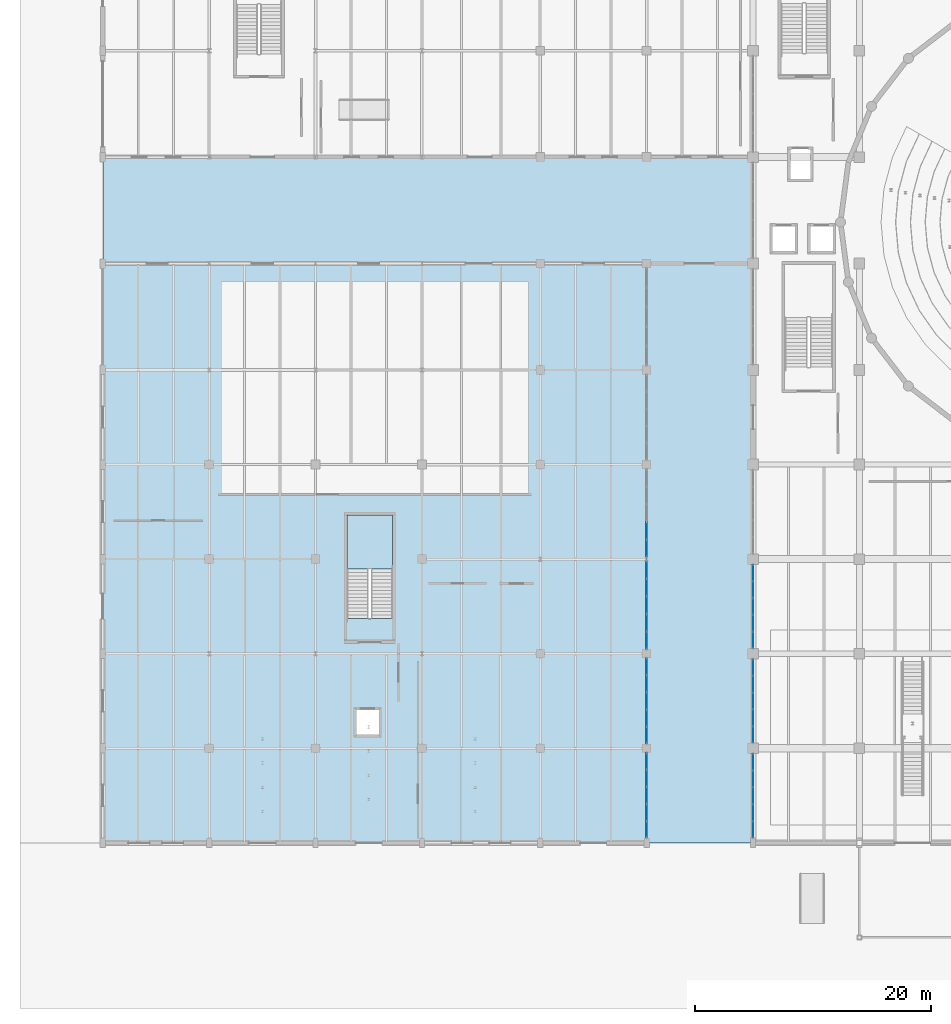
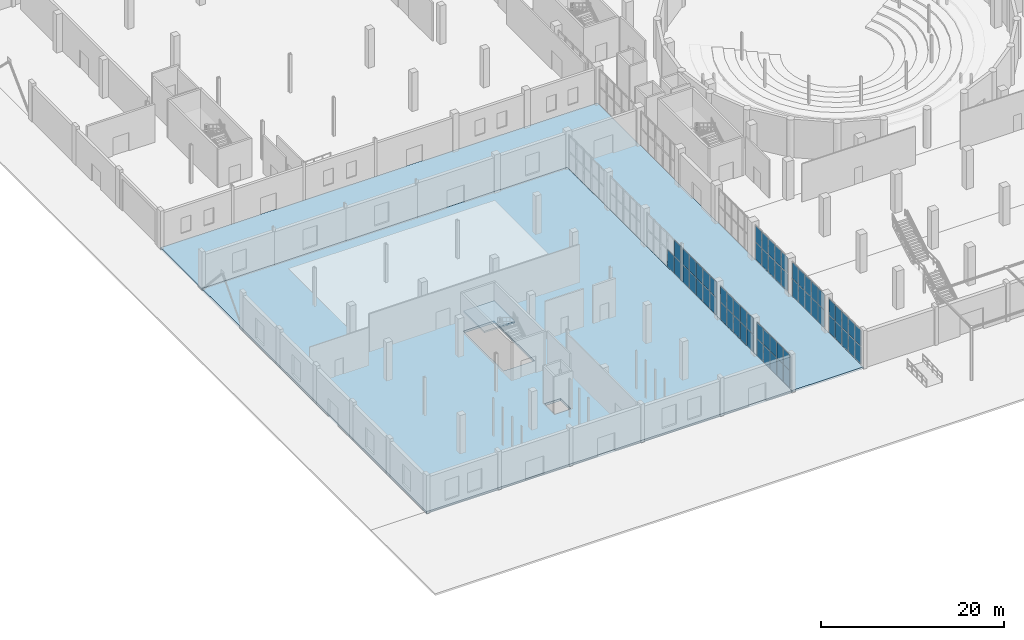
# One storey, part 64 of 103: 63 plates, 3 slabs, 8 elements without a shape of their own.
"""IFC4 building model written with IfcOpenShell, lengths in metres."""

from ifc_helpers import new_model, si_unit, direction, frame, origin, origin_2d, place, context, subcontext, project, spatial, polyline, rectangle, outline, extrude, material, layer, layer_set, type_object, element, aggregate, save


model = new_model("IFC4")

# Units and contexts
model_context = context("Model", 3, precision=1e-05, world=origin(), true_north=direction((0.0, 1.0)))
body_context = subcontext(model_context, "Body", "Model", "MODEL_VIEW")
ifc_project = project(units=[si_unit("LENGTHUNIT", "METRE"), si_unit("AREAUNIT", "SQUARE_METRE"), si_unit("VOLUMEUNIT", "CUBIC_METRE"), si_unit("PLANEANGLEUNIT", "RADIAN"), si_unit("MASSUNIT", "GRAM", prefix="KILO")], contexts=[model_context])

# Site, building, storey
site_placement = place(None, origin())
site = spatial("IfcSite", under=ifc_project, at=site_placement, CompositionType="ELEMENT")
building_placement = place(site_placement, origin())
building = spatial("IfcBuilding", under=site, at=building_placement, Name="Marnock Terrace Opera House", CompositionType="ELEMENT")
storey_placement = place(building_placement, origin())
storey = spatial("IfcBuildingStorey", under=building, at=storey_placement, Name="L00", CompositionType="ELEMENT", Elevation=0.0)

# Curtain wall, plates
ifc_material_1 = material(Name="Anodised architectural bronze aluminium framing", Category="aluminium")
ifc_layer_1 = layer(ifc_material_1, 0.159912109375)
ifc_layer_set_1 = layer_set([ifc_layer_1], Name="Anodised architectural bronze aluminium framing")
curtain_wall_type_1 = type_object("IfcCurtainWallType", Name="CW-FOYER-80x51", PredefinedType="NOTDEFINED", material=ifc_layer_set_1)
curtain_wall_1_placement = place(storey_placement, origin())
curtain_wall_1 = element("IfcCurtainWall", 1, at=curtain_wall_1_placement, inside=storey, type_object=curtain_wall_type_1, Name="L00 glazed Beaux-Arts colonnade curtain wall CW-V1W-L00-01", PredefinedType="NOTDEFINED")
ifc_material_2 = material(Name="Double-glazed acoustic low-E laminated glass", Category="glass")
ifc_layer_2 = layer(ifc_material_2, 0.028076171875)
ifc_layer_set_2 = layer_set([ifc_layer_2], Name="Double-glazed acoustic low-E laminated glass")
plate_type = type_object("IfcPlateType", Name="CWP-GLZ-28", PredefinedType="CURTAIN_PANEL", material=ifc_layer_set_2)
plate_1_placement = place(storey_placement, frame((55.0, 9.126708984375, 0.06005859375), z_axis=(0.0, 0.0, 1.0), x_axis=(0.0, 1.0, 0.0)))
plate_1 = element("IfcPlate", 2, at=plate_1_placement, type_object=plate_type, Name="CW-73 panel 1.1", PredefinedType="CURTAIN_PANEL", context=body_context, shape_type="SweptSolid", body=[
    extrude(rectangle(XDim=1.341552734375, YDim=0.028076171875, at=origin_2d()), origin(), (0.0, 0.0, 1.0), 2.319091796875),
])
plate_2_placement = place(storey_placement, frame((55.0, 9.126708984375, 2.43896484375), z_axis=(0.0, 0.0, 1.0), x_axis=(0.0, 1.0, 0.0)))
plate_2 = element("IfcPlate", 3, at=plate_2_placement, type_object=plate_type, Name="CW-73 panel 1.2", PredefinedType="CURTAIN_PANEL", context=body_context, shape_type="SweptSolid", body=[
    extrude(rectangle(XDim=1.341552734375, YDim=0.028076171875, at=origin_2d()), origin(), (0.0, 0.0, 1.0), 2.133544921875),
])
plate_3_placement = place(storey_placement, frame((55.0, 10.54345703125, 0.06005859375), z_axis=(0.0, 0.0, 1.0), x_axis=(0.0, 1.0, 0.0)))
plate_3 = element("IfcPlate", 4, at=plate_3_placement, type_object=plate_type, Name="CW-73 panel 2.1", PredefinedType="CURTAIN_PANEL", context=body_context, shape_type="SweptSolid", body=[
    extrude(rectangle(XDim=1.37158203125, YDim=0.028076171875, at=origin_2d()), origin(), (0.0, 0.0, 1.0), 2.319091796875),
])
plate_4_placement = place(storey_placement, frame((55.0, 10.54345703125, 2.43896484375), z_axis=(0.0, 0.0, 1.0), x_axis=(0.0, 1.0, 0.0)))
plate_4 = element("IfcPlate", 5, at=plate_4_placement, type_object=plate_type, Name="CW-73 panel 2.2", PredefinedType="CURTAIN_PANEL", context=body_context, shape_type="SweptSolid", body=[
    extrude(rectangle(XDim=1.37158203125, YDim=0.028076171875, at=origin_2d()), origin(), (0.0, 0.0, 1.0), 2.133544921875),
])
plate_5_placement = place(storey_placement, frame((55.0, 11.97509765625, 0.06005859375), z_axis=(0.0, 0.0, 1.0), x_axis=(0.0, 1.0, 0.0)))
plate_5 = element("IfcPlate", 6, at=plate_5_placement, type_object=plate_type, Name="CW-73 panel 3.1", PredefinedType="CURTAIN_PANEL", context=body_context, shape_type="SweptSolid", body=[
    extrude(rectangle(XDim=1.37158203125, YDim=0.028076171875, at=origin_2d()), origin(), (0.0, 0.0, 1.0), 2.319091796875),
])
plate_6_placement = place(storey_placement, frame((55.0, 11.97509765625, 2.43896484375), z_axis=(0.0, 0.0, 1.0), x_axis=(0.0, 1.0, 0.0)))
plate_6 = element("IfcPlate", 7, at=plate_6_placement, type_object=plate_type, Name="CW-73 panel 3.2", PredefinedType="CURTAIN_PANEL", context=body_context, shape_type="SweptSolid", body=[
    extrude(rectangle(XDim=1.37158203125, YDim=0.028076171875, at=origin_2d()), origin(), (0.0, 0.0, 1.0), 2.133544921875),
])
plate_7_placement = place(storey_placement, frame((55.0, 13.406494140625, 0.06005859375), z_axis=(0.0, 0.0, 1.0), x_axis=(0.0, 1.0, 0.0)))
plate_7 = element("IfcPlate", 8, at=plate_7_placement, type_object=plate_type, Name="CW-73 panel 4.1", PredefinedType="CURTAIN_PANEL", context=body_context, shape_type="SweptSolid", body=[
    extrude(rectangle(XDim=1.37158203125, YDim=0.028076171875, at=origin_2d()), origin(), (0.0, 0.0, 1.0), 2.319091796875),
])
plate_8_placement = place(storey_placement, frame((55.0, 13.406494140625, 2.43896484375), z_axis=(0.0, 0.0, 1.0), x_axis=(0.0, 1.0, 0.0)))
plate_8 = element("IfcPlate", 9, at=plate_8_placement, type_object=plate_type, Name="CW-73 panel 4.2", PredefinedType="CURTAIN_PANEL", context=body_context, shape_type="SweptSolid", body=[
    extrude(rectangle(XDim=1.37158203125, YDim=0.028076171875, at=origin_2d()), origin(), (0.0, 0.0, 1.0), 2.133544921875),
])
plate_9_placement = place(storey_placement, frame((55.0, 14.8232421875, 0.06005859375), z_axis=(0.0, 0.0, 1.0), x_axis=(0.0, 1.0, 0.0)))
plate_9 = element("IfcPlate", 10, at=plate_9_placement, type_object=plate_type, Name="CW-73 panel 5.1", PredefinedType="CURTAIN_PANEL", context=body_context, shape_type="SweptSolid", body=[
    extrude(rectangle(XDim=1.341552734375, YDim=0.028076171875, at=origin_2d()), origin(), (0.0, 0.0, 1.0), 2.319091796875),
])
plate_10_placement = place(storey_placement, frame((55.0, 14.8232421875, 2.43896484375), z_axis=(0.0, 0.0, 1.0), x_axis=(0.0, 1.0, 0.0)))
plate_10 = element("IfcPlate", 11, at=plate_10_placement, type_object=plate_type, Name="CW-73 panel 5.2", PredefinedType="CURTAIN_PANEL", context=body_context, shape_type="SweptSolid", body=[
    extrude(rectangle(XDim=1.341552734375, YDim=0.028076171875, at=origin_2d()), origin(), (0.0, 0.0, 1.0), 2.133544921875),
])
aggregate(curtain_wall_1, [plate_1, plate_2, plate_3, plate_4, plate_5, plate_6, plate_7, plate_8, plate_9, plate_10])

curtain_wall_2_placement = place(storey_placement, origin())
curtain_wall_2 = element("IfcCurtainWall", 12, at=curtain_wall_2_placement, inside=storey, type_object=curtain_wall_type_1, Name="L00 glazed Beaux-Arts colonnade curtain wall CW-V1W-L00-02", PredefinedType="NOTDEFINED")
plate_11_placement = place(storey_placement, frame((55.0, 17.171875, 0.06005859375), z_axis=(0.0, 0.0, 1.0), x_axis=(0.0, 1.0, 0.0)))
plate_11 = element("IfcPlate", 13, at=plate_11_placement, type_object=plate_type, Name="CW-73 panel 1.1", PredefinedType="CURTAIN_PANEL", context=body_context, shape_type="SweptSolid", body=[
    extrude(rectangle(XDim=1.33154296875, YDim=0.028076171875, at=origin_2d()), origin(), (0.0, 0.0, 1.0), 2.319091796875),
])
plate_12_placement = place(storey_placement, frame((55.0, 17.171875, 2.43896484375), z_axis=(0.0, 0.0, 1.0), x_axis=(0.0, 1.0, 0.0)))
plate_12 = element("IfcPlate", 14, at=plate_12_placement, type_object=plate_type, Name="CW-73 panel 1.2", PredefinedType="CURTAIN_PANEL", context=body_context, shape_type="SweptSolid", body=[
    extrude(rectangle(XDim=1.33154296875, YDim=0.028076171875, at=origin_2d()), origin(), (0.0, 0.0, 1.0), 2.133544921875),
])
plate_13_placement = place(storey_placement, frame((55.0, 18.578369140625, 0.06005859375), z_axis=(0.0, 0.0, 1.0), x_axis=(0.0, 1.0, 0.0)))
plate_13 = element("IfcPlate", 15, at=plate_13_placement, type_object=plate_type, Name="CW-73 panel 2.1", PredefinedType="CURTAIN_PANEL", context=body_context, shape_type="SweptSolid", body=[
    extrude(rectangle(XDim=1.361572265625, YDim=0.028076171875, at=origin_2d()), origin(), (0.0, 0.0, 1.0), 2.319091796875),
])
plate_14_placement = place(storey_placement, frame((55.0, 18.578369140625, 2.43896484375), z_axis=(0.0, 0.0, 1.0), x_axis=(0.0, 1.0, 0.0)))
plate_14 = element("IfcPlate", 16, at=plate_14_placement, type_object=plate_type, Name="CW-73 panel 2.2", PredefinedType="CURTAIN_PANEL", context=body_context, shape_type="SweptSolid", body=[
    extrude(rectangle(XDim=1.361572265625, YDim=0.028076171875, at=origin_2d()), origin(), (0.0, 0.0, 1.0), 2.133544921875),
])
plate_15_placement = place(storey_placement, frame((55.0, 20.0, 0.06005859375), z_axis=(0.0, 0.0, 1.0), x_axis=(0.0, 1.0, 0.0)))
plate_15 = element("IfcPlate", 17, at=plate_15_placement, type_object=plate_type, Name="CW-73 panel 3.1", PredefinedType="CURTAIN_PANEL", context=body_context, shape_type="SweptSolid", body=[
    extrude(rectangle(XDim=1.361572265625, YDim=0.028076171875, at=origin_2d()), origin(), (0.0, 0.0, 1.0), 2.319091796875),
])
plate_16_placement = place(storey_placement, frame((55.0, 20.0, 2.43896484375), z_axis=(0.0, 0.0, 1.0), x_axis=(0.0, 1.0, 0.0)))
plate_16 = element("IfcPlate", 18, at=plate_16_placement, type_object=plate_type, Name="CW-73 panel 3.2", PredefinedType="CURTAIN_PANEL", context=body_context, shape_type="SweptSolid", body=[
    extrude(rectangle(XDim=1.361572265625, YDim=0.028076171875, at=origin_2d()), origin(), (0.0, 0.0, 1.0), 2.133544921875),
])
plate_17_placement = place(storey_placement, frame((55.0, 21.421630859375, 0.06005859375), z_axis=(0.0, 0.0, 1.0), x_axis=(0.0, 1.0, 0.0)))
plate_17 = element("IfcPlate", 19, at=plate_17_placement, type_object=plate_type, Name="CW-73 panel 4.1", PredefinedType="CURTAIN_PANEL", context=body_context, shape_type="SweptSolid", body=[
    extrude(rectangle(XDim=1.361572265625, YDim=0.028076171875, at=origin_2d()), origin(), (0.0, 0.0, 1.0), 2.319091796875),
])
plate_18_placement = place(storey_placement, frame((55.0, 21.421630859375, 2.43896484375), z_axis=(0.0, 0.0, 1.0), x_axis=(0.0, 1.0, 0.0)))
plate_18 = element("IfcPlate", 20, at=plate_18_placement, type_object=plate_type, Name="CW-73 panel 4.2", PredefinedType="CURTAIN_PANEL", context=body_context, shape_type="SweptSolid", body=[
    extrude(rectangle(XDim=1.361572265625, YDim=0.028076171875, at=origin_2d()), origin(), (0.0, 0.0, 1.0), 2.133544921875),
])
plate_19_placement = place(storey_placement, frame((55.0, 22.828125, 0.06005859375), z_axis=(0.0, 0.0, 1.0), x_axis=(0.0, 1.0, 0.0)))
plate_19 = element("IfcPlate", 21, at=plate_19_placement, type_object=plate_type, Name="CW-73 panel 5.1", PredefinedType="CURTAIN_PANEL", context=body_context, shape_type="SweptSolid", body=[
    extrude(rectangle(XDim=1.33154296875, YDim=0.028076171875, at=origin_2d()), origin(), (0.0, 0.0, 1.0), 2.319091796875),
])
plate_20_placement = place(storey_placement, frame((55.0, 22.828125, 2.43896484375), z_axis=(0.0, 0.0, 1.0), x_axis=(0.0, 1.0, 0.0)))
plate_20 = element("IfcPlate", 22, at=plate_20_placement, type_object=plate_type, Name="CW-73 panel 5.2", PredefinedType="CURTAIN_PANEL", context=body_context, shape_type="SweptSolid", body=[
    extrude(rectangle(XDim=1.33154296875, YDim=0.028076171875, at=origin_2d()), origin(), (0.0, 0.0, 1.0), 2.133544921875),
])
aggregate(curtain_wall_2, [plate_11, plate_12, plate_13, plate_14, plate_15, plate_16, plate_17, plate_18, plate_19, plate_20])

curtain_wall_3_placement = place(storey_placement, origin())
curtain_wall_3 = element("IfcCurtainWall", 23, at=curtain_wall_3_placement, inside=storey, type_object=curtain_wall_type_1, Name="L00 glazed Beaux-Arts colonnade curtain wall CW-V1W-L00-03", PredefinedType="NOTDEFINED")
plate_21_placement = place(storey_placement, frame((55.0, 25.171875, 0.06005859375), z_axis=(0.0, 0.0, 1.0), x_axis=(0.0, 1.0, 0.0)))
plate_21 = element("IfcPlate", 24, at=plate_21_placement, type_object=plate_type, Name="CW-73 panel 1.1", PredefinedType="CURTAIN_PANEL", context=body_context, shape_type="SweptSolid", body=[
    extrude(rectangle(XDim=1.33154296875, YDim=0.028076171875, at=origin_2d()), origin(), (0.0, 0.0, 1.0), 2.319091796875),
])
plate_22_placement = place(storey_placement, frame((55.0, 25.171875, 2.43896484375), z_axis=(0.0, 0.0, 1.0), x_axis=(0.0, 1.0, 0.0)))
plate_22 = element("IfcPlate", 25, at=plate_22_placement, type_object=plate_type, Name="CW-73 panel 1.2", PredefinedType="CURTAIN_PANEL", context=body_context, shape_type="SweptSolid", body=[
    extrude(rectangle(XDim=1.33154296875, YDim=0.028076171875, at=origin_2d()), origin(), (0.0, 0.0, 1.0), 2.133544921875),
])
plate_23_placement = place(storey_placement, frame((55.0, 26.578369140625, 0.06005859375), z_axis=(0.0, 0.0, 1.0), x_axis=(0.0, 1.0, 0.0)))
plate_23 = element("IfcPlate", 26, at=plate_23_placement, type_object=plate_type, Name="CW-73 panel 2.1", PredefinedType="CURTAIN_PANEL", context=body_context, shape_type="SweptSolid", body=[
    extrude(rectangle(XDim=1.361572265625, YDim=0.028076171875, at=origin_2d()), origin(), (0.0, 0.0, 1.0), 2.319091796875),
])
plate_24_placement = place(storey_placement, frame((55.0, 26.578369140625, 2.43896484375), z_axis=(0.0, 0.0, 1.0), x_axis=(0.0, 1.0, 0.0)))
plate_24 = element("IfcPlate", 27, at=plate_24_placement, type_object=plate_type, Name="CW-73 panel 2.2", PredefinedType="CURTAIN_PANEL", context=body_context, shape_type="SweptSolid", body=[
    extrude(rectangle(XDim=1.361572265625, YDim=0.028076171875, at=origin_2d()), origin(), (0.0, 0.0, 1.0), 2.133544921875),
])
plate_25_placement = place(storey_placement, frame((55.0, 28.0, 0.06005859375), z_axis=(0.0, 0.0, 1.0), x_axis=(0.0, 1.0, 0.0)))
plate_25 = element("IfcPlate", 28, at=plate_25_placement, type_object=plate_type, Name="CW-73 panel 3.1", PredefinedType="CURTAIN_PANEL", context=body_context, shape_type="SweptSolid", body=[
    extrude(rectangle(XDim=1.361572265625, YDim=0.028076171875, at=origin_2d()), origin(), (0.0, 0.0, 1.0), 2.319091796875),
])
plate_26_placement = place(storey_placement, frame((55.0, 28.0, 2.43896484375), z_axis=(0.0, 0.0, 1.0), x_axis=(0.0, 1.0, 0.0)))
plate_26 = element("IfcPlate", 29, at=plate_26_placement, type_object=plate_type, Name="CW-73 panel 3.2", PredefinedType="CURTAIN_PANEL", context=body_context, shape_type="SweptSolid", body=[
    extrude(rectangle(XDim=1.361572265625, YDim=0.028076171875, at=origin_2d()), origin(), (0.0, 0.0, 1.0), 2.133544921875),
])
plate_27_placement = place(storey_placement, frame((55.0, 29.421630859375, 0.06005859375), z_axis=(0.0, 0.0, 1.0), x_axis=(0.0, 1.0, 0.0)))
plate_27 = element("IfcPlate", 30, at=plate_27_placement, type_object=plate_type, Name="CW-73 panel 4.1", PredefinedType="CURTAIN_PANEL", context=body_context, shape_type="SweptSolid", body=[
    extrude(rectangle(XDim=1.361572265625, YDim=0.028076171875, at=origin_2d()), origin(), (0.0, 0.0, 1.0), 2.319091796875),
])
plate_28_placement = place(storey_placement, frame((55.0, 29.421630859375, 2.43896484375), z_axis=(0.0, 0.0, 1.0), x_axis=(0.0, 1.0, 0.0)))
plate_28 = element("IfcPlate", 31, at=plate_28_placement, type_object=plate_type, Name="CW-73 panel 4.2", PredefinedType="CURTAIN_PANEL", context=body_context, shape_type="SweptSolid", body=[
    extrude(rectangle(XDim=1.361572265625, YDim=0.028076171875, at=origin_2d()), origin(), (0.0, 0.0, 1.0), 2.133544921875),
])
plate_29_placement = place(storey_placement, frame((55.0, 30.828125, 0.06005859375), z_axis=(0.0, 0.0, 1.0), x_axis=(0.0, 1.0, 0.0)))
plate_29 = element("IfcPlate", 32, at=plate_29_placement, type_object=plate_type, Name="CW-73 panel 5.1", PredefinedType="CURTAIN_PANEL", context=body_context, shape_type="SweptSolid", body=[
    extrude(rectangle(XDim=1.33154296875, YDim=0.028076171875, at=origin_2d()), origin(), (0.0, 0.0, 1.0), 2.319091796875),
])
plate_30_placement = place(storey_placement, frame((55.0, 30.828125, 2.43896484375), z_axis=(0.0, 0.0, 1.0), x_axis=(0.0, 1.0, 0.0)))
plate_30 = element("IfcPlate", 33, at=plate_30_placement, type_object=plate_type, Name="CW-73 panel 5.2", PredefinedType="CURTAIN_PANEL", context=body_context, shape_type="SweptSolid", body=[
    extrude(rectangle(XDim=1.33154296875, YDim=0.028076171875, at=origin_2d()), origin(), (0.0, 0.0, 1.0), 2.133544921875),
])
aggregate(curtain_wall_3, [plate_21, plate_22, plate_23, plate_24, plate_25, plate_26, plate_27, plate_28, plate_29, plate_30])

ifc_layer_3 = layer(ifc_material_1, 0.159912109375)
ifc_layer_set_3 = layer_set([ifc_layer_3], Name="Anodised architectural bronze aluminium framing")
curtain_wall_type_2 = type_object("IfcCurtainWallType", Name="CW-COURT-80x51", PredefinedType="NOTDEFINED", material=ifc_layer_set_3)
curtain_wall_4_placement = place(storey_placement, origin())
curtain_wall_4 = element("IfcCurtainWall", 34, at=curtain_wall_4_placement, inside=storey, type_object=curtain_wall_type_2, Name="L00 glazed Beaux-Arts colonnade curtain wall CW-V3E-L00-01", PredefinedType="NOTDEFINED")
plate_31_placement = place(storey_placement, frame((46.0, 9.13427734375, 0.06005859375), z_axis=(0.0, 0.0, 1.0), x_axis=(0.0, 1.0, 0.0)))
plate_31 = element("IfcPlate", 35, at=plate_31_placement, type_object=plate_type, Name="CW-114 panel 1.1", PredefinedType="CURTAIN_PANEL", context=body_context, shape_type="SweptSolid", body=[
    extrude(rectangle(XDim=1.356689453125, YDim=0.028076171875, at=origin_2d()), origin(), (0.0, 0.0, 1.0), 2.2822265625),
])
plate_32_placement = place(storey_placement, frame((46.0, 9.13427734375, 2.40234375), z_axis=(0.0, 0.0, 1.0), x_axis=(0.0, 1.0, 0.0)))
plate_32 = element("IfcPlate", 36, at=plate_32_placement, type_object=plate_type, Name="CW-114 panel 1.2", PredefinedType="CURTAIN_PANEL", context=body_context, shape_type="SweptSolid", body=[
    extrude(rectangle(XDim=1.356689453125, YDim=0.028076171875, at=origin_2d()), origin(), (0.0, 0.0, 1.0), 2.099853515625),
])
plate_33_placement = place(storey_placement, frame((46.0, 10.56591796875, 0.06005859375), z_axis=(0.0, 0.0, 1.0), x_axis=(0.0, 1.0, 0.0)))
plate_33 = element("IfcPlate", 37, at=plate_33_placement, type_object=plate_type, Name="CW-114 panel 2.1", PredefinedType="CURTAIN_PANEL", context=body_context, shape_type="SweptSolid", body=[
    extrude(rectangle(XDim=1.38671875, YDim=0.028076171875, at=origin_2d()), origin(), (0.0, 0.0, 1.0), 2.2822265625),
])
plate_34_placement = place(storey_placement, frame((46.0, 10.56591796875, 2.40234375), z_axis=(0.0, 0.0, 1.0), x_axis=(0.0, 1.0, 0.0)))
plate_34 = element("IfcPlate", 38, at=plate_34_placement, type_object=plate_type, Name="CW-114 panel 2.2", PredefinedType="CURTAIN_PANEL", context=body_context, shape_type="SweptSolid", body=[
    extrude(rectangle(XDim=1.38671875, YDim=0.028076171875, at=origin_2d()), origin(), (0.0, 0.0, 1.0), 2.099853515625),
])
plate_35_placement = place(storey_placement, frame((46.0, 12.012451171875, 0.06005859375), z_axis=(0.0, 0.0, 1.0), x_axis=(0.0, 1.0, 0.0)))
plate_35 = element("IfcPlate", 39, at=plate_35_placement, type_object=plate_type, Name="CW-114 panel 3.1", PredefinedType="CURTAIN_PANEL", context=body_context, shape_type="SweptSolid", body=[
    extrude(rectangle(XDim=1.38671875, YDim=0.028076171875, at=origin_2d()), origin(), (0.0, 0.0, 1.0), 2.2822265625),
])
plate_36_placement = place(storey_placement, frame((46.0, 12.012451171875, 2.40234375), z_axis=(0.0, 0.0, 1.0), x_axis=(0.0, 1.0, 0.0)))
plate_36 = element("IfcPlate", 40, at=plate_36_placement, type_object=plate_type, Name="CW-114 panel 3.2", PredefinedType="CURTAIN_PANEL", context=body_context, shape_type="SweptSolid", body=[
    extrude(rectangle(XDim=1.38671875, YDim=0.028076171875, at=origin_2d()), origin(), (0.0, 0.0, 1.0), 2.099853515625),
])
plate_37_placement = place(storey_placement, frame((46.0, 13.458984375, 0.06005859375), z_axis=(0.0, 0.0, 1.0), x_axis=(0.0, 1.0, 0.0)))
plate_37 = element("IfcPlate", 41, at=plate_37_placement, type_object=plate_type, Name="CW-114 panel 4.1", PredefinedType="CURTAIN_PANEL", context=body_context, shape_type="SweptSolid", body=[
    extrude(rectangle(XDim=1.38671875, YDim=0.028076171875, at=origin_2d()), origin(), (0.0, 0.0, 1.0), 2.2822265625),
])
plate_38_placement = place(storey_placement, frame((46.0, 13.458984375, 2.40234375), z_axis=(0.0, 0.0, 1.0), x_axis=(0.0, 1.0, 0.0)))
plate_38 = element("IfcPlate", 42, at=plate_38_placement, type_object=plate_type, Name="CW-114 panel 4.2", PredefinedType="CURTAIN_PANEL", context=body_context, shape_type="SweptSolid", body=[
    extrude(rectangle(XDim=1.38671875, YDim=0.028076171875, at=origin_2d()), origin(), (0.0, 0.0, 1.0), 2.099853515625),
])
plate_39_placement = place(storey_placement, frame((46.0, 14.890625, 0.06005859375), z_axis=(0.0, 0.0, 1.0), x_axis=(0.0, 1.0, 0.0)))
plate_39 = element("IfcPlate", 43, at=plate_39_placement, type_object=plate_type, Name="CW-114 panel 5.1", PredefinedType="CURTAIN_PANEL", context=body_context, shape_type="SweptSolid", body=[
    extrude(rectangle(XDim=1.356689453125, YDim=0.028076171875, at=origin_2d()), origin(), (0.0, 0.0, 1.0), 2.2822265625),
])
plate_40_placement = place(storey_placement, frame((46.0, 14.890625, 2.40234375), z_axis=(0.0, 0.0, 1.0), x_axis=(0.0, 1.0, 0.0)))
plate_40 = element("IfcPlate", 44, at=plate_40_placement, type_object=plate_type, Name="CW-114 panel 5.2", PredefinedType="CURTAIN_PANEL", context=body_context, shape_type="SweptSolid", body=[
    extrude(rectangle(XDim=1.356689453125, YDim=0.028076171875, at=origin_2d()), origin(), (0.0, 0.0, 1.0), 2.099853515625),
])
aggregate(curtain_wall_4, [plate_31, plate_32, plate_33, plate_34, plate_35, plate_36, plate_37, plate_38, plate_39, plate_40])

curtain_wall_5_placement = place(storey_placement, origin())
curtain_wall_5 = element("IfcCurtainWall", 45, at=curtain_wall_5_placement, inside=storey, type_object=curtain_wall_type_2, Name="L00 glazed Beaux-Arts colonnade curtain wall CW-V3E-L00-02", PredefinedType="NOTDEFINED")
plate_41_placement = place(storey_placement, frame((46.0, 17.11181640625, 0.06005859375), z_axis=(0.0, 0.0, 1.0), x_axis=(0.0, 1.0, 0.0)))
plate_41 = element("IfcPlate", 46, at=plate_41_placement, type_object=plate_type, Name="CW-114 panel 1.1", PredefinedType="CURTAIN_PANEL", context=body_context, shape_type="SweptSolid", body=[
    extrude(rectangle(XDim=1.361572265625, YDim=0.028076171875, at=origin_2d()), origin(), (0.0, 0.0, 1.0), 2.2822265625),
])
plate_42_placement = place(storey_placement, frame((46.0, 17.11181640625, 2.40234375), z_axis=(0.0, 0.0, 1.0), x_axis=(0.0, 1.0, 0.0)))
plate_42 = element("IfcPlate", 47, at=plate_42_placement, type_object=plate_type, Name="CW-114 panel 1.2", PredefinedType="CURTAIN_PANEL", context=body_context, shape_type="SweptSolid", body=[
    extrude(rectangle(XDim=1.361572265625, YDim=0.028076171875, at=origin_2d()), origin(), (0.0, 0.0, 1.0), 2.099853515625),
])
plate_43_placement = place(storey_placement, frame((46.0, 18.54833984375, 0.06005859375), z_axis=(0.0, 0.0, 1.0), x_axis=(0.0, 1.0, 0.0)))
plate_43 = element("IfcPlate", 48, at=plate_43_placement, type_object=plate_type, Name="CW-114 panel 2.1", PredefinedType="CURTAIN_PANEL", context=body_context, shape_type="SweptSolid", body=[
    extrude(rectangle(XDim=1.3916015625, YDim=0.028076171875, at=origin_2d()), origin(), (0.0, 0.0, 1.0), 2.2822265625),
])
plate_44_placement = place(storey_placement, frame((46.0, 18.54833984375, 2.40234375), z_axis=(0.0, 0.0, 1.0), x_axis=(0.0, 1.0, 0.0)))
plate_44 = element("IfcPlate", 49, at=plate_44_placement, type_object=plate_type, Name="CW-114 panel 2.2", PredefinedType="CURTAIN_PANEL", context=body_context, shape_type="SweptSolid", body=[
    extrude(rectangle(XDim=1.3916015625, YDim=0.028076171875, at=origin_2d()), origin(), (0.0, 0.0, 1.0), 2.099853515625),
])
plate_45_placement = place(storey_placement, frame((46.0, 20.0, 0.06005859375), z_axis=(0.0, 0.0, 1.0), x_axis=(0.0, 1.0, 0.0)))
plate_45 = element("IfcPlate", 50, at=plate_45_placement, type_object=plate_type, Name="CW-114 panel 3.1", PredefinedType="CURTAIN_PANEL", context=body_context, shape_type="SweptSolid", body=[
    extrude(rectangle(XDim=1.3916015625, YDim=0.028076171875, at=origin_2d()), origin(), (0.0, 0.0, 1.0), 2.2822265625),
])
plate_46_placement = place(storey_placement, frame((46.0, 20.0, 2.40234375), z_axis=(0.0, 0.0, 1.0), x_axis=(0.0, 1.0, 0.0)))
plate_46 = element("IfcPlate", 51, at=plate_46_placement, type_object=plate_type, Name="CW-114 panel 3.2", PredefinedType="CURTAIN_PANEL", context=body_context, shape_type="SweptSolid", body=[
    extrude(rectangle(XDim=1.3916015625, YDim=0.028076171875, at=origin_2d()), origin(), (0.0, 0.0, 1.0), 2.099853515625),
])
plate_47_placement = place(storey_placement, frame((46.0, 21.45166015625, 0.06005859375), z_axis=(0.0, 0.0, 1.0), x_axis=(0.0, 1.0, 0.0)))
plate_47 = element("IfcPlate", 52, at=plate_47_placement, type_object=plate_type, Name="CW-114 panel 4.1", PredefinedType="CURTAIN_PANEL", context=body_context, shape_type="SweptSolid", body=[
    extrude(rectangle(XDim=1.3916015625, YDim=0.028076171875, at=origin_2d()), origin(), (0.0, 0.0, 1.0), 2.2822265625),
])
plate_48_placement = place(storey_placement, frame((46.0, 21.45166015625, 2.40234375), z_axis=(0.0, 0.0, 1.0), x_axis=(0.0, 1.0, 0.0)))
plate_48 = element("IfcPlate", 53, at=plate_48_placement, type_object=plate_type, Name="CW-114 panel 4.2", PredefinedType="CURTAIN_PANEL", context=body_context, shape_type="SweptSolid", body=[
    extrude(rectangle(XDim=1.3916015625, YDim=0.028076171875, at=origin_2d()), origin(), (0.0, 0.0, 1.0), 2.099853515625),
])
plate_49_placement = place(storey_placement, frame((46.0, 22.88818359375, 0.06005859375), z_axis=(0.0, 0.0, 1.0), x_axis=(0.0, 1.0, 0.0)))
plate_49 = element("IfcPlate", 54, at=plate_49_placement, type_object=plate_type, Name="CW-114 panel 5.1", PredefinedType="CURTAIN_PANEL", context=body_context, shape_type="SweptSolid", body=[
    extrude(rectangle(XDim=1.361572265625, YDim=0.028076171875, at=origin_2d()), origin(), (0.0, 0.0, 1.0), 2.2822265625),
])
plate_50_placement = place(storey_placement, frame((46.0, 22.88818359375, 2.40234375), z_axis=(0.0, 0.0, 1.0), x_axis=(0.0, 1.0, 0.0)))
plate_50 = element("IfcPlate", 55, at=plate_50_placement, type_object=plate_type, Name="CW-114 panel 5.2", PredefinedType="CURTAIN_PANEL", context=body_context, shape_type="SweptSolid", body=[
    extrude(rectangle(XDim=1.361572265625, YDim=0.028076171875, at=origin_2d()), origin(), (0.0, 0.0, 1.0), 2.099853515625),
])
aggregate(curtain_wall_5, [plate_41, plate_42, plate_43, plate_44, plate_45, plate_46, plate_47, plate_48, plate_49, plate_50])

curtain_wall_6_placement = place(storey_placement, origin())
curtain_wall_6 = element("IfcCurtainWall", 56, at=curtain_wall_6_placement, inside=storey, type_object=curtain_wall_type_2, Name="L00 glazed Beaux-Arts colonnade curtain wall CW-V3E-L00-03", PredefinedType="NOTDEFINED")
plate_51_placement = place(storey_placement, frame((46.0, 25.133056640625, 0.06005859375), z_axis=(0.0, 0.0, 1.0), x_axis=(0.0, 1.0, 0.0)))
plate_51 = element("IfcPlate", 57, at=plate_51_placement, type_object=plate_type, Name="CW-114 panel 1.1", PredefinedType="CURTAIN_PANEL", context=body_context, shape_type="SweptSolid", body=[
    extrude(rectangle(XDim=1.40380859375, YDim=0.028076171875, at=origin_2d()), origin(), (0.0, 0.0, 1.0), 2.2822265625),
])
plate_52_placement = place(storey_placement, frame((46.0, 25.133056640625, 2.40234375), z_axis=(0.0, 0.0, 1.0), x_axis=(0.0, 1.0, 0.0)))
plate_52 = element("IfcPlate", 58, at=plate_52_placement, type_object=plate_type, Name="CW-114 panel 1.2", PredefinedType="CURTAIN_PANEL", context=body_context, shape_type="SweptSolid", body=[
    extrude(rectangle(XDim=1.40380859375, YDim=0.028076171875, at=origin_2d()), origin(), (0.0, 0.0, 1.0), 2.099853515625),
])
plate_53_placement = place(storey_placement, frame((46.0, 26.61181640625, 0.06005859375), z_axis=(0.0, 0.0, 1.0), x_axis=(0.0, 1.0, 0.0)))
plate_53 = element("IfcPlate", 59, at=plate_53_placement, type_object=plate_type, Name="CW-114 panel 2.1", PredefinedType="CURTAIN_PANEL", context=body_context, shape_type="SweptSolid", body=[
    extrude(rectangle(XDim=1.433837890625, YDim=0.028076171875, at=origin_2d()), origin(), (0.0, 0.0, 1.0), 2.2822265625),
])
plate_54_placement = place(storey_placement, frame((46.0, 26.61181640625, 2.40234375), z_axis=(0.0, 0.0, 1.0), x_axis=(0.0, 1.0, 0.0)))
plate_54 = element("IfcPlate", 60, at=plate_54_placement, type_object=plate_type, Name="CW-114 panel 2.2", PredefinedType="CURTAIN_PANEL", context=body_context, shape_type="SweptSolid", body=[
    extrude(rectangle(XDim=1.433837890625, YDim=0.028076171875, at=origin_2d()), origin(), (0.0, 0.0, 1.0), 2.099853515625),
])
plate_55_placement = place(storey_placement, frame((46.0, 28.105712890625, 0.06005859375), z_axis=(0.0, 0.0, 1.0), x_axis=(0.0, 1.0, 0.0)))
plate_55 = element("IfcPlate", 61, at=plate_55_placement, type_object=plate_type, Name="CW-114 panel 3.1", PredefinedType="CURTAIN_PANEL", context=body_context, shape_type="SweptSolid", body=[
    extrude(rectangle(XDim=1.433837890625, YDim=0.028076171875, at=origin_2d()), origin(), (0.0, 0.0, 1.0), 2.2822265625),
])
plate_56_placement = place(storey_placement, frame((46.0, 28.105712890625, 2.40234375), z_axis=(0.0, 0.0, 1.0), x_axis=(0.0, 1.0, 0.0)))
plate_56 = element("IfcPlate", 62, at=plate_56_placement, type_object=plate_type, Name="CW-114 panel 3.2", PredefinedType="CURTAIN_PANEL", context=body_context, shape_type="SweptSolid", body=[
    extrude(rectangle(XDim=1.433837890625, YDim=0.028076171875, at=origin_2d()), origin(), (0.0, 0.0, 1.0), 2.099853515625),
])
plate_57_placement = place(storey_placement, frame((46.0, 29.599609375, 0.06005859375), z_axis=(0.0, 0.0, 1.0), x_axis=(0.0, 1.0, 0.0)))
plate_57 = element("IfcPlate", 63, at=plate_57_placement, type_object=plate_type, Name="CW-114 panel 4.1", PredefinedType="CURTAIN_PANEL", context=body_context, shape_type="SweptSolid", body=[
    extrude(rectangle(XDim=1.433837890625, YDim=0.028076171875, at=origin_2d()), origin(), (0.0, 0.0, 1.0), 2.2822265625),
])
plate_58_placement = place(storey_placement, frame((46.0, 29.599609375, 2.40234375), z_axis=(0.0, 0.0, 1.0), x_axis=(0.0, 1.0, 0.0)))
plate_58 = element("IfcPlate", 64, at=plate_58_placement, type_object=plate_type, Name="CW-114 panel 4.2", PredefinedType="CURTAIN_PANEL", context=body_context, shape_type="SweptSolid", body=[
    extrude(rectangle(XDim=1.433837890625, YDim=0.028076171875, at=origin_2d()), origin(), (0.0, 0.0, 1.0), 2.099853515625),
])
plate_59_placement = place(storey_placement, frame((46.0, 31.078369140625, 0.06005859375), z_axis=(0.0, 0.0, 1.0), x_axis=(0.0, 1.0, 0.0)))
plate_59 = element("IfcPlate", 65, at=plate_59_placement, type_object=plate_type, Name="CW-114 panel 5.1", PredefinedType="CURTAIN_PANEL", context=body_context, shape_type="SweptSolid", body=[
    extrude(rectangle(XDim=1.40380859375, YDim=0.028076171875, at=origin_2d()), origin(), (0.0, 0.0, 1.0), 2.2822265625),
])
plate_60_placement = place(storey_placement, frame((46.0, 31.078369140625, 2.40234375), z_axis=(0.0, 0.0, 1.0), x_axis=(0.0, 1.0, 0.0)))
plate_60 = element("IfcPlate", 66, at=plate_60_placement, type_object=plate_type, Name="CW-114 panel 5.2", PredefinedType="CURTAIN_PANEL", context=body_context, shape_type="SweptSolid", body=[
    extrude(rectangle(XDim=1.40380859375, YDim=0.028076171875, at=origin_2d()), origin(), (0.0, 0.0, 1.0), 2.099853515625),
])
aggregate(curtain_wall_6, [plate_51, plate_52, plate_53, plate_54, plate_55, plate_56, plate_57, plate_58, plate_59, plate_60])

curtain_wall_7_placement = place(storey_placement, origin())
curtain_wall_7 = element("IfcCurtainWall", 67, at=curtain_wall_7_placement, inside=storey, type_object=curtain_wall_type_2, Name="L00 glazed Beaux-Arts colonnade curtain wall CW-V3E-L00-04", PredefinedType="NOTDEFINED")
plate_61_placement = place(storey_placement, frame((46.0, 32.921630859375, 0.06005859375), z_axis=(0.0, 0.0, 1.0), x_axis=(0.0, 1.0, 0.0)))
plate_61 = element("IfcPlate", 68, at=plate_61_placement, type_object=plate_type, Name="CW-114 panel 1.1", PredefinedType="CURTAIN_PANEL", context=body_context, shape_type="SweptSolid", body=[
    extrude(rectangle(XDim=1.40380859375, YDim=0.028076171875, at=origin_2d()), origin(), (0.0, 0.0, 1.0), 2.2822265625),
])
plate_62_placement = place(storey_placement, frame((46.0, 32.921630859375, 2.40234375), z_axis=(0.0, 0.0, 1.0), x_axis=(0.0, 1.0, 0.0)))
plate_62 = element("IfcPlate", 69, at=plate_62_placement, type_object=plate_type, Name="CW-114 panel 1.2", PredefinedType="CURTAIN_PANEL", context=body_context, shape_type="SweptSolid", body=[
    extrude(rectangle(XDim=1.40380859375, YDim=0.028076171875, at=origin_2d()), origin(), (0.0, 0.0, 1.0), 2.099853515625),
])
plate_63_placement = place(storey_placement, frame((46.0, 34.400390625, 0.06005859375), z_axis=(0.0, 0.0, 1.0), x_axis=(0.0, 1.0, 0.0)))
plate_63 = element("IfcPlate", 70, at=plate_63_placement, type_object=plate_type, Name="CW-114 panel 2.1", PredefinedType="CURTAIN_PANEL", context=body_context, shape_type="SweptSolid", body=[
    extrude(rectangle(XDim=1.433837890625, YDim=0.028076171875, at=origin_2d()), origin(), (0.0, 0.0, 1.0), 2.2822265625),
])
aggregate(curtain_wall_7, [plate_61, plate_62, plate_63])

# Slabs
ifc_material_3 = material(Name="Concrete N32 (f'c = 32 MPa)", Category="concrete")
ifc_layer_4 = layer(ifc_material_3, 0.239990234375)
ifc_layer_set_4 = layer_set([ifc_layer_4], Name="Concrete N32 (f'c = 32 MPa)")
slab_type_1 = type_object("IfcSlabType", Name="SL-APRON-240", PredefinedType="BASESLAB", material=ifc_layer_set_4)
slab_1_placement = place(storey_placement, frame((0.0, 0.0, -0.239990234375)))
element("IfcSlab", 71, at=slab_1_placement, inside=storey, type_object=slab_type_1, Name="West Cloister Court paved terrace", PredefinedType="BASESLAB", context=body_context, shape_type="SweptSolid", body=[
    extrude(outline(polyline([(46.0, 8.0), (55.0, 8.0), (55.0, 66.0), (0.0, 66.0), (0.0, 57.0), (46.0, 57.0), (46.0, 8.0)])), origin(), (0.0, 0.0, 1.0), 0.239990234375),
])
ifc_material_4 = material(Name="Concrete N40 (f'c = 40 MPa)", Category="concrete")
ifc_layer_5 = layer(ifc_material_4, 0.300048828125)
ifc_layer_set_5 = layer_set([ifc_layer_5], Name="Concrete N40 (f'c = 40 MPa)")
slab_type_2 = type_object("IfcSlabType", Name="SL-FLR-300", PredefinedType="FLOOR", material=ifc_layer_set_5)
slab_2_placement = place(storey_placement, frame((0.0, 0.0, -0.300048828125)))
element("IfcSlab", 72, at=slab_2_placement, inside=storey, type_object=slab_type_2, Name="L00 Chamber and Rehearsal Wing floor slab", PredefinedType="FLOOR", context=body_context, shape_type="SweptSolid", body=[
    extrude(outline(polyline([(0.0, 8.0), (46.0, 8.0), (46.0, 57.0), (0.0, 57.0), (0.0, 8.0)]), holes=[polyline([(24.52001953125, 26.9599609375), (24.52001953125, 35.719970703125), (20.639892578125, 35.719970703125), (20.639892578125, 26.9599609375), (24.52001953125, 26.9599609375)]), polyline([(21.3798828125, 17.080078125), (23.419921875, 17.080078125), (23.419921875, 19.320068359375), (21.3798828125, 19.320068359375), (21.3798828125, 17.080078125)])]), origin(), (0.0, 0.0, 1.0), 0.300048828125),
])

# Stair, slab
stair_type = type_object("IfcStairType", Name="ST-TYPE-2200", PredefinedType="HALF_TURN_STAIR", material=ifc_material_4)
stair_placement = place(storey_placement, origin())
stair = element("IfcStair", 73, at=stair_placement, inside=storey, type_object=stair_type, Name="L00 ST-05", PredefinedType="HALF_TURN_STAIR")
ifc_layer_6 = layer(ifc_material_3, 0.199951171875)
ifc_layer_set_6 = layer_set([ifc_layer_6], Name="Concrete N32 (f'c = 32 MPa)")
slab_type_3 = type_object("IfcSlabType", Name="SL-LAND-200", PredefinedType="LANDING", material=ifc_layer_set_6)
slab_3_placement = place(storey_placement, frame((0.0, 0.0, 2.5)))
slab_3 = element("IfcSlab", 74, at=slab_3_placement, type_object=slab_type_3, Name="ST-05 landing 1", PredefinedType="LANDING", context=body_context, shape_type="SweptSolid", body=[
    extrude(outline(polyline([(24.52001953125, 31.159912109375), (24.52001953125, 35.719970703125), (20.639892578125, 35.719970703125), (20.639892578125, 31.159912109375), (24.52001953125, 31.159912109375)])), origin(), (0.0, 0.0, 1.0), 0.199951171875),
])
aggregate(stair, [slab_3])

save(model, "model.ifc")
